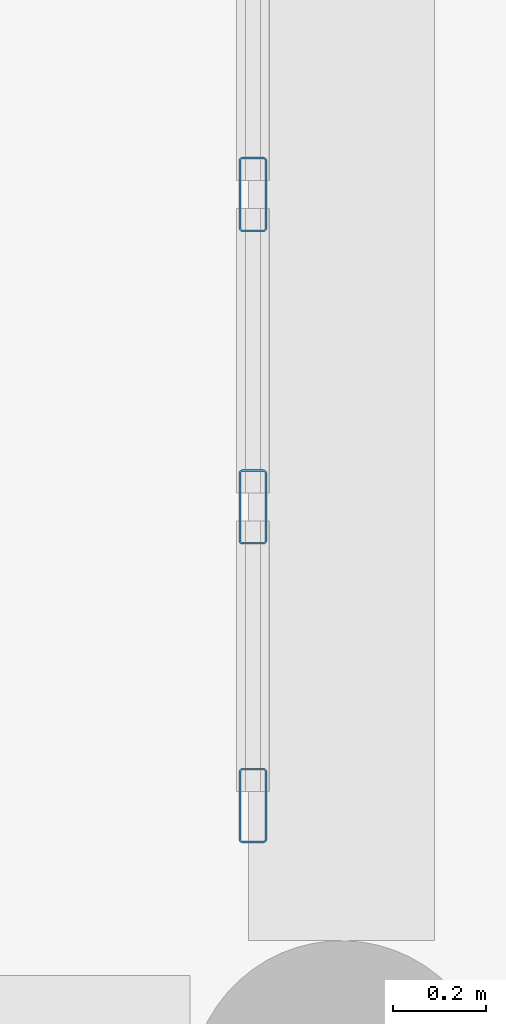
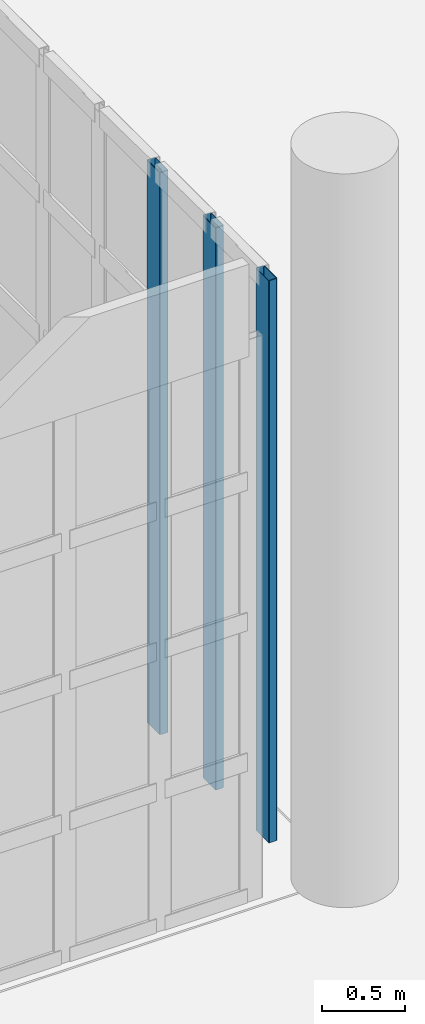
# One storey, part 16 of 372: 3 members, 1 element without a shape of its own.
"""IFC4 building model written with IfcOpenShell, lengths in metres."""

from ifc_helpers import new_model, si_unit, direction, frame, origin, origin_2d, place, context, subcontext, project, spatial, hollow_rectangle, extrude, material, material_profile, profile_set, type_object, element, aggregate, save


model = new_model("IFC4")

# Units and contexts
model_context = context("Model", 3, precision=1e-05, world=origin(), true_north=direction((0.0, 1.0)))
body_context = subcontext(model_context, "Body", "Model", "MODEL_VIEW")
ifc_project = project(units=[si_unit("LENGTHUNIT", "METRE"), si_unit("AREAUNIT", "SQUARE_METRE"), si_unit("VOLUMEUNIT", "CUBIC_METRE"), si_unit("PLANEANGLEUNIT", "RADIAN"), si_unit("MASSUNIT", "GRAM", prefix="KILO")], contexts=[model_context])

# Site, building, storey
site_placement = place(None, origin())
site = spatial("IfcSite", under=ifc_project, at=site_placement, CompositionType="ELEMENT")
building_placement = place(site_placement, origin())
building = spatial("IfcBuilding", under=site, at=building_placement, Name="Kaelora Sail Theatre", CompositionType="ELEMENT")
storey_placement = place(building_placement, origin())
storey = spatial("IfcBuildingStorey", under=building, at=storey_placement, Name="L00", CompositionType="ELEMENT", Elevation=0.0)

# Curtain wall, members
ifc_material_1 = material(Name="Anodised aluminium and solar-control low-E IGU", Category="aluminium")
curtain_wall_type = type_object("IfcCurtainWallType", Name="ARC-CW-CW-FOY2", PredefinedType="NOTDEFINED", material=ifc_material_1)
curtain_wall_placement = place(storey_placement, origin())
curtain_wall = element("IfcCurtainWall", 1, at=curtain_wall_placement, inside=storey, type_object=curtain_wall_type, Name="Glazed Colonnade/Courtyard Curtain Wall COLW-E-L00-01", PredefinedType="NOTDEFINED")
ifc_material_2 = material(Name="Anodised aluminium 6063-T6", Category="aluminium")
ifc_material_profile = material_profile(ifc_material_2, hollow_rectangle(XDim=0.06005859375, YDim=0.159912109375, WallThickness=0.00390625, InnerFilletRadius=0.00390625, OuterFilletRadius=0.008056640625, at=origin_2d()), Name="ALU-MULL 60x160x4")
ifc_profile_set = profile_set([ifc_material_profile], Name="Anodised aluminium 6063-T6")
member_type = type_object("IfcMemberType", Name="ARC-MEM-ML-160", PredefinedType="MULLION", material=ifc_profile_set)
member_1_placement = place(storey_placement, frame((17.510009765625, 31.875, 0.0), z_axis=(0.0, 0.0, 1.0), x_axis=(-1.0, 0.0, 0.0)))
member_1 = element("IfcMember", 2, at=member_1_placement, type_object=member_type, Name="CW-FOY2 mullion 1", PredefinedType="MULLION", context=body_context, shape_type="SweptSolid", body=[
    extrude(hollow_rectangle(XDim=0.06005859375, YDim=0.159912109375, WallThickness=0.00390625, InnerFilletRadius=0.00390625, OuterFilletRadius=0.008056640625, at=origin_2d()), origin(), (0.0, 0.0, 1.0), 4.136962890625),
])
member_2_placement = place(storey_placement, frame((17.510009765625, 32.51611328125, 0.0), z_axis=(0.0, 0.0, 1.0), x_axis=(-1.0, 0.0, 0.0)))
member_2 = element("IfcMember", 3, at=member_2_placement, type_object=member_type, Name="CW-FOY2 mullion 2", PredefinedType="MULLION", context=body_context, shape_type="SweptSolid", body=[
    extrude(hollow_rectangle(XDim=0.06005859375, YDim=0.159912109375, WallThickness=0.00390625, InnerFilletRadius=0.00390625, OuterFilletRadius=0.008056640625, at=origin_2d()), origin(), (0.0, 0.0, 1.0), 4.136962890625),
])
member_3_placement = place(storey_placement, frame((17.510009765625, 33.18701171875, 0.0), z_axis=(0.0, 0.0, 1.0), x_axis=(-1.0, 0.0, 0.0)))
member_3 = element("IfcMember", 4, at=member_3_placement, type_object=member_type, Name="CW-FOY2 mullion 3", PredefinedType="MULLION", context=body_context, shape_type="SweptSolid", body=[
    extrude(hollow_rectangle(XDim=0.06005859375, YDim=0.159912109375, WallThickness=0.00390625, InnerFilletRadius=0.00390625, OuterFilletRadius=0.008056640625, at=origin_2d()), origin(), (0.0, 0.0, 1.0), 4.136962890625),
])
aggregate(curtain_wall, [member_1, member_2, member_3])

save(model, "model.ifc")
